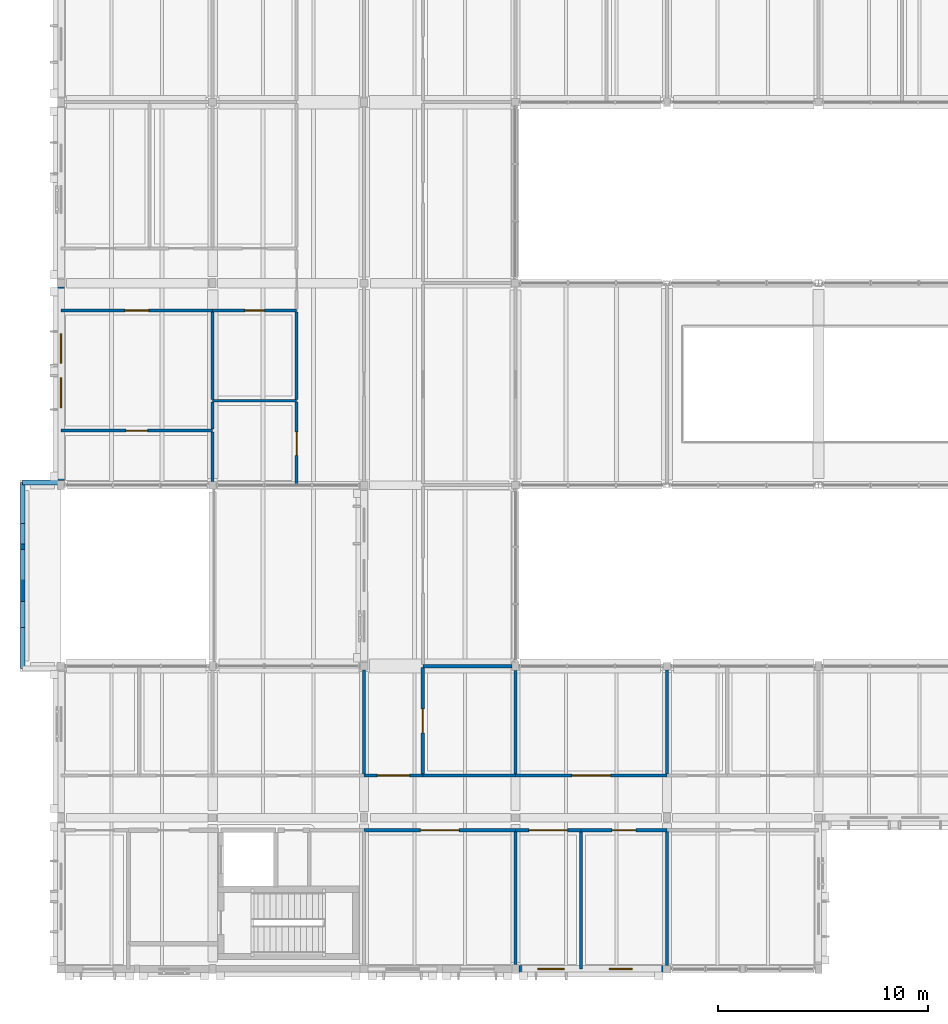
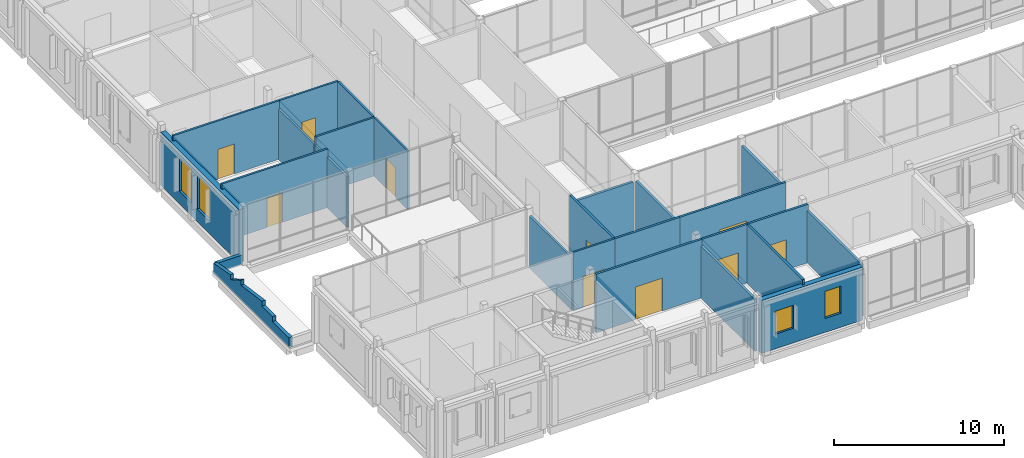
# One storey, part 105 of 146: 27 walls, 10 doors, 4 windows, 14 openings.
"""IFC4 building model written with IfcOpenShell, lengths in metres."""

from ifc_helpers import new_model, si_unit, direction, frame, frame_2d, origin, place, context, subcontext, project, spatial, polyline, rectangle, outline, extrude, material, layer, layer_set, type_object, element, fill, save


model = new_model("IFC4")

# Units and contexts
model_context = context("Model", 3, precision=1e-05, world=origin(), true_north=direction((0.0, 1.0)))
body_context = subcontext(model_context, "Body", "Model", "MODEL_VIEW")
ifc_project = project(units=[si_unit("LENGTHUNIT", "METRE"), si_unit("AREAUNIT", "SQUARE_METRE"), si_unit("VOLUMEUNIT", "CUBIC_METRE"), si_unit("PLANEANGLEUNIT", "RADIAN"), si_unit("MASSUNIT", "GRAM", prefix="KILO")], contexts=[model_context])

# Site, building, storey
site_placement = place(None, origin())
site = spatial("IfcSite", under=ifc_project, at=site_placement, CompositionType="ELEMENT")
building_placement = place(site_placement, origin())
building = spatial("IfcBuilding", under=site, at=building_placement, Name="Hawrajan Terrace Health Centre", CompositionType="ELEMENT")
storey_placement = place(building_placement, frame((0.0, 0.0, 4.5)))
storey = spatial("IfcBuildingStorey", under=building, at=storey_placement, Name="L01", CompositionType="ELEMENT", Elevation=4.5)

# Wall, opening, door
ifc_material_1 = material(Name="Gypsum board on acoustic stud framing")
ifc_layer_1 = layer(ifc_material_1, 0.139892578125)
ifc_layer_set_1 = layer_set([ifc_layer_1], Name="Gypsum board on acoustic stud framing")
wall_type_1 = type_object("IfcWallType", Name="ClinicalAcousticWall_140", PredefinedType="PARTITIONING", material=ifc_layer_set_1)
wall_1_placement = place(storey_placement, frame((4.60009765625, 29.7900390625, 0.0), z_axis=(0.0, 0.0, 1.0), x_axis=(1.0, 0.0, 0.0)))
wall_1 = element("IfcWall", 1, at=wall_1_placement, inside=storey, type_object=wall_type_1, Name="Interior wall IW-L01-0508", PredefinedType="PARTITIONING", context=body_context, shape_type="SweptSolid", body=[
    extrude(rectangle(XDim=7.199951171875, YDim=0.139892578125, at=frame_2d((3.60009765625, 0.0))), origin(), (0.0, 0.0, 1.0), 4.179931640625),
])
opening_1_placement = place(wall_1_placement, frame((3.080078125, 0.0, 0.0)))
opening_1 = element("IfcOpeningElement", 2, at=opening_1_placement, cuts=wall_1, Name="Opening D-L01-430", PredefinedType="OPENING", context=body_context, shape_type="SweptSolid", body=[
    extrude(rectangle(XDim=1.0400390625, YDim=2.10009765625, at=frame_2d((0.52001953125, 1.050048828125))), frame((0.0, 0.079833984375, 0.0), z_axis=(0.0, -1.0, 0.0), x_axis=(1.0, 0.0, 0.0)), (0.0, 0.0, 1.0), 0.159912109375),
])
ifc_material_2 = material(Name="Hardwood acoustic clinical door leaf and frame", Category="wood")
door_type_1 = type_object("IfcDoorType", Name="ConsultDoor_1040x2100", OperationType="NOTDEFINED", PredefinedType="DOOR", material=ifc_material_2)
door_1_placement = place(opening_1_placement, origin())
door_1 = element("IfcDoor", 3, at=door_1_placement, inside=storey, type_object=door_type_1, Name="Interior door D-L01-430", OperationType="SINGLE_SWING_RIGHT", OverallHeight=2.10009765625, OverallWidth=1.0400390625, PredefinedType="DOOR", context=body_context, shape_type="SweptSolid", body=[
    extrude(rectangle(XDim=1.0400390625, YDim=2.10009765625, at=frame_2d((0.52001953125, 1.050048828125))), frame((0.0, 0.02490234375, 0.0), z_axis=(0.0, -1.0, 0.0), x_axis=(1.0, 0.0, 0.0)), (0.0, 0.0, 1.0), 0.050048828125),
])
fill(opening_1, door_1)

wall_2_placement = place(storey_placement, frame((4.60009765625, 35.5, 0.0), z_axis=(0.0, 0.0, 1.0), x_axis=(1.0, 0.0, 0.0)))
wall_2 = element("IfcWall", 4, at=wall_2_placement, inside=storey, type_object=wall_type_1, Name="Interior wall IW-L01-0509", PredefinedType="PARTITIONING", context=body_context, shape_type="SweptSolid", body=[
    extrude(rectangle(XDim=7.199951171875, YDim=0.139892578125, at=frame_2d((3.60009765625, 0.0))), origin(), (0.0, 0.0, 1.0), 4.179931640625),
])
opening_2_placement = place(wall_2_placement, frame((3.0400390625, 0.0, 0.0)))
opening_2 = element("IfcOpeningElement", 5, at=opening_2_placement, cuts=wall_2, Name="Opening D-L01-311", PredefinedType="OPENING", context=body_context, shape_type="SweptSolid", body=[
    extrude(rectangle(XDim=1.1201171875, YDim=2.14990234375, at=frame_2d((0.56005859375, 1.074951171875))), frame((0.0, 0.079833984375, 0.0), z_axis=(0.0, -1.0, 0.0), x_axis=(1.0, 0.0, 0.0)), (0.0, 0.0, 1.0), 0.159912109375),
])
door_type_2 = type_object("IfcDoorType", Name="DentalSurgeryDoor_1120x2150", OperationType="NOTDEFINED", PredefinedType="DOOR", material=ifc_material_2)
door_2_placement = place(opening_2_placement, origin())
door_2 = element("IfcDoor", 6, at=door_2_placement, inside=storey, type_object=door_type_2, Name="Interior door D-L01-311", OperationType="SINGLE_SWING_LEFT", OverallHeight=2.14990234375, OverallWidth=1.1201171875, PredefinedType="DOOR", context=body_context, shape_type="SweptSolid", body=[
    extrude(rectangle(XDim=1.1201171875, YDim=2.14990234375, at=frame_2d((0.56005859375, 1.074951171875))), frame((0.0, 0.02490234375, 0.0), z_axis=(0.0, -1.0, 0.0), x_axis=(1.0, 0.0, 0.0)), (0.0, 0.0, 1.0), 0.050048828125),
])
fill(opening_2, door_2)

# Walls
wall_3_placement = place(storey_placement, frame((11.800048828125, 27.3798828125, 0.0), z_axis=(0.0, 0.0, 1.0), x_axis=(0.0, 1.0, 0.0)))
element("IfcWall", 7, at=wall_3_placement, inside=storey, type_object=wall_type_1, Name="Interior wall IW-L01-0525", PredefinedType="PARTITIONING", context=body_context, shape_type="SweptSolid", body=[
    extrude(rectangle(XDim=2.340087890625, YDim=0.139892578125, at=frame_2d((1.169921875, 0.0))), origin(), (0.0, 0.0, 1.0), 3.6201171875),
])
wall_4_placement = place(storey_placement, frame((11.800048828125, 29.860107421875, 0.0), z_axis=(0.0, 0.0, 1.0), x_axis=(0.0, 1.0, 0.0)))
element("IfcWall", 8, at=wall_4_placement, inside=storey, type_object=wall_type_1, Name="Interior wall IW-L01-0526", PredefinedType="PARTITIONING", context=body_context, shape_type="SweptSolid", body=[
    extrude(rectangle(XDim=1.27880859375, YDim=0.139892578125, at=frame_2d((0.639404296875, 0.0))), origin(), (0.0, 0.0, 1.0), 3.6201171875),
])
wall_5_placement = place(storey_placement, frame((11.800048828125, 31.279052734375, 0.0), z_axis=(0.0, 0.0, 1.0), x_axis=(0.0, 1.0, 0.0)))
element("IfcWall", 9, at=wall_5_placement, inside=storey, type_object=wall_type_1, Name="Interior wall IW-L01-0527", PredefinedType="PARTITIONING", context=body_context, shape_type="SweptSolid", body=[
    extrude(rectangle(XDim=4.15087890625, YDim=0.139892578125, at=frame_2d((2.075439453125, 0.0))), origin(), (0.0, 0.0, 1.0), 3.6201171875),
])
wall_6_placement = place(storey_placement, frame((11.800048828125, 31.208984375, 0.0), z_axis=(0.0, 0.0, 1.0), x_axis=(1.0, 0.0, 0.0)))
element("IfcWall", 10, at=wall_6_placement, inside=storey, type_object=wall_type_1, Name="Interior wall IW-L01-0528", PredefinedType="PARTITIONING", context=body_context, shape_type="SweptSolid", body=[
    extrude(rectangle(XDim=4.0, YDim=0.139892578125, at=frame_2d((2.0, 0.0))), origin(), (0.0, 0.0, 1.0), 4.179931640625),
])

# Wall, opening, door
wall_7_placement = place(storey_placement, frame((11.800048828125, 35.5, 0.0), z_axis=(0.0, 0.0, 1.0), x_axis=(1.0, 0.0, 0.0)))
wall_7 = element("IfcWall", 11, at=wall_7_placement, inside=storey, type_object=wall_type_1, Name="Interior wall IW-L01-0529", PredefinedType="PARTITIONING", context=body_context, shape_type="SweptSolid", body=[
    extrude(rectangle(XDim=4.0, YDim=0.139892578125, at=frame_2d((2.0, 0.0))), origin(), (0.0, 0.0, 1.0), 4.179931640625),
])
opening_3_placement = place(wall_7_placement, frame((1.5400390625, 0.0, 0.0)))
opening_3 = element("IfcOpeningElement", 12, at=opening_3_placement, cuts=wall_7, Name="Opening D-L01-317", PredefinedType="OPENING", context=body_context, shape_type="SweptSolid", body=[
    extrude(rectangle(XDim=0.919921875, YDim=2.10009765625, at=frame_2d((0.4599609375, 1.050048828125))), frame((0.0, 0.079833984375, 0.0), z_axis=(0.0, -1.0, 0.0), x_axis=(1.0, 0.0, 0.0)), (0.0, 0.0, 1.0), 0.159912109375),
])
door_type_3 = type_object("IfcDoorType", Name="StaffOfficeDoor_920x2100", OperationType="NOTDEFINED", PredefinedType="DOOR", material=ifc_material_2)
door_3_placement = place(opening_3_placement, origin())
door_3 = element("IfcDoor", 13, at=door_3_placement, inside=storey, type_object=door_type_3, Name="Interior door D-L01-317", OperationType="SINGLE_SWING_LEFT", OverallHeight=2.10009765625, OverallWidth=0.919921875, PredefinedType="DOOR", context=body_context, shape_type="SweptSolid", body=[
    extrude(rectangle(XDim=0.919921875, YDim=2.10009765625, at=frame_2d((0.4599609375, 1.050048828125))), frame((0.0, 0.02490234375, 0.0), z_axis=(0.0, -1.0, 0.0), x_axis=(1.0, 0.0, 0.0)), (0.0, 0.0, 1.0), 0.050048828125),
])
fill(opening_3, door_3)

wall_8_placement = place(storey_placement, frame((15.800048828125, 27.199951171875, 0.0), z_axis=(0.0, 0.0, 1.0), x_axis=(0.0, 1.0, 0.0)))
wall_8 = element("IfcWall", 14, at=wall_8_placement, inside=storey, type_object=wall_type_1, Name="Interior wall IW-L01-0537", PredefinedType="PARTITIONING", context=body_context, shape_type="SweptSolid", body=[
    extrude(rectangle(XDim=3.93896484375, YDim=0.139892578125, at=frame_2d((1.969482421875, 0.0))), origin(), (0.0, 0.0, 1.0), 4.179931640625),
])
opening_4_placement = place(wall_8_placement, frame((1.409423828125, 0.0, 0.0)))
opening_4 = element("IfcOpeningElement", 15, at=opening_4_placement, cuts=wall_8, Name="Opening D-L01-316", PredefinedType="OPENING", context=body_context, shape_type="SweptSolid", body=[
    extrude(rectangle(XDim=1.1201171875, YDim=2.14990234375, at=frame_2d((0.56005859375, 1.074951171875))), frame((0.0, 0.079833984375, 0.0), z_axis=(0.0, -1.0, 0.0), x_axis=(1.0, 0.0, 0.0)), (0.0, 0.0, 1.0), 0.159912109375),
])
door_4_placement = place(opening_4_placement, origin())
door_4 = element("IfcDoor", 16, at=door_4_placement, inside=storey, type_object=door_type_2, Name="Interior door D-L01-316", OperationType="SINGLE_SWING_RIGHT", OverallHeight=2.14990234375, OverallWidth=1.1201171875, PredefinedType="DOOR", context=body_context, shape_type="SweptSolid", body=[
    extrude(rectangle(XDim=1.1201171875, YDim=2.14990234375, at=frame_2d((0.56005859375, 1.074951171875))), frame((0.0, 0.02490234375, 0.0), z_axis=(0.0, -1.0, 0.0), x_axis=(1.0, 0.0, 0.0)), (0.0, 0.0, 1.0), 0.050048828125),
])
fill(opening_4, door_4)

# Walls
wall_9_placement = place(storey_placement, frame((15.800048828125, 31.279052734375, 0.0), z_axis=(0.0, 0.0, 1.0), x_axis=(0.0, 1.0, 0.0)))
element("IfcWall", 17, at=wall_9_placement, inside=storey, type_object=wall_type_1, Name="Interior wall IW-L01-0538", PredefinedType="PARTITIONING", context=body_context, shape_type="SweptSolid", body=[
    extrude(rectangle(XDim=4.15087890625, YDim=0.139892578125, at=frame_2d((2.075439453125, 0.0))), origin(), (0.0, 0.0, 1.0), 4.179931640625),
])
wall_10_placement = place(storey_placement, frame((19.0, 13.469970703125, 0.0), z_axis=(0.0, 0.0, 1.0), x_axis=(0.0, 1.0, 0.0)))
element("IfcWall", 18, at=wall_10_placement, inside=storey, type_object=wall_type_1, Name="Interior wall IW-L01-0544", PredefinedType="PARTITIONING", context=body_context, shape_type="SweptSolid", body=[
    extrude(rectangle(XDim=4.949951171875, YDim=0.139892578125, at=frame_2d((2.47509765625, 0.0))), origin(), (0.0, 0.0, 1.0), 3.739990234375),
])

# Wall, opening, door
wall_11_placement = place(storey_placement, frame((19.0, 13.39990234375, 0.0), z_axis=(0.0, 0.0, 1.0), x_axis=(1.0, 0.0, 0.0)))
wall_11 = element("IfcWall", 19, at=wall_11_placement, inside=storey, type_object=wall_type_1, Name="Interior wall IW-L01-0545", PredefinedType="PARTITIONING", context=body_context, shape_type="SweptSolid", body=[
    extrude(rectangle(XDim=2.800048828125, YDim=0.139892578125, at=frame_2d((1.39990234375, 0.0))), origin(), (0.0, 0.0, 1.0), 4.179931640625),
])
opening_5_placement = place(wall_11_placement, frame((0.6298828125, 0.0, 0.0)))
opening_5 = element("IfcOpeningElement", 20, at=opening_5_placement, cuts=wall_11, Name="Opening D-L01-262", PredefinedType="OPENING", context=body_context, shape_type="SweptSolid", body=[
    extrude(rectangle(XDim=1.5400390625, YDim=2.25, at=frame_2d((0.77001953125, 1.125))), frame((0.0, 0.079833984375, 0.0), z_axis=(0.0, -1.0, 0.0), x_axis=(1.0, 0.0, 0.0)), (0.0, 0.0, 1.0), 0.159912109375),
])
door_type_4 = type_object("IfcDoorType", Name="RecoveryBayDoor_1540x2250", OperationType="DOUBLE_DOOR_SINGLE_SWING", PredefinedType="DOOR", material=ifc_material_2)
door_5_placement = place(opening_5_placement, origin())
door_5 = element("IfcDoor", 21, at=door_5_placement, inside=storey, type_object=door_type_4, Name="Interior door D-L01-262", OperationType="DOUBLE_DOOR_SINGLE_SWING", OverallHeight=2.25, OverallWidth=1.5400390625, PredefinedType="DOOR", context=body_context, shape_type="SweptSolid", body=[
    extrude(rectangle(XDim=1.5400390625, YDim=2.25, at=frame_2d((0.77001953125, 1.125))), frame((0.0, 0.02490234375, 0.0), z_axis=(0.0, -1.0, 0.0), x_axis=(1.0, 0.0, 0.0)), (0.0, 0.0, 1.0), 0.050048828125),
])
fill(opening_5, door_5)

# Wall, openings, windows
ifc_material_3 = material(Name="Precast concrete C40/50", Category="concrete")
ifc_layer_2 = layer(ifc_material_3, 0.340087890625)
ifc_layer_set_2 = layer_set([ifc_layer_2], Name="Precast concrete C40/50")
wall_type_2 = type_object("IfcWallType", Name="CoralAshlarWall_340", PredefinedType="SOLIDWALL", material=ifc_layer_set_2)
wall_12_placement = place(storey_placement, frame((4.60009765625, 27.409912109375, 0.0), z_axis=(0.0, 0.0, 1.0), x_axis=(0.0, 1.0, 0.0)))
wall_12 = element("IfcWall", 22, at=wall_12_placement, inside=storey, type_object=wall_type_2, Name="Exterior wall EW-L01-V00-03-1", PredefinedType="SOLIDWALL", context=body_context, shape_type="SweptSolid", body=[
    extrude(rectangle(XDim=9.210205078125, YDim=0.340087890625, at=frame_2d((4.60498046875, 0.0))), origin(), (0.0, 0.0, 1.0), 3.800048828125),
])
opening_6_placement = place(wall_12_placement, frame((3.474853515625, 0.0, 0.89990234375)))
opening_6 = element("IfcOpeningElement", 23, at=opening_6_placement, cuts=wall_12, Name="Opening W-L01-049", PredefinedType="OPENING", context=body_context, shape_type="SweptSolid", body=[
    extrude(rectangle(XDim=1.419921875, YDim=2.39990234375, at=frame_2d((0.7099609375, 1.199951171875))), frame((0.0, 0.179931640625, 0.0), z_axis=(0.0, -1.0, 0.0), x_axis=(1.0, 0.0, 0.0)), (0.0, 0.0, 1.0), 0.360107421875),
])
opening_7_placement = place(wall_12_placement, frame((5.57470703125, 0.0, 0.89990234375)))
opening_7 = element("IfcOpeningElement", 24, at=opening_7_placement, cuts=wall_12, Name="Opening W-L01-050", PredefinedType="OPENING", context=body_context, shape_type="SweptSolid", body=[
    extrude(rectangle(XDim=1.419921875, YDim=2.39990234375, at=frame_2d((0.7099609375, 1.199951171875))), frame((0.0, 0.179931640625, 0.0), z_axis=(0.0, -1.0, 0.0), x_axis=(1.0, 0.0, 0.0)), (0.0, 0.0, 1.0), 0.360107421875),
])
ifc_material_4 = material(Name="Anodized bronze frame with double low-E glazing", Category="glass")
window_type_1 = type_object("IfcWindowType", Name="FacadeWindow_1420x2400", PartitioningType="SINGLE_PANEL", PredefinedType="WINDOW", material=ifc_material_4)
window_1_placement = place(opening_6_placement, origin())
window_1 = element("IfcWindow", 25, at=window_1_placement, inside=storey, type_object=window_type_1, Name="Window W-L01-049", OverallHeight=2.39990234375, OverallWidth=1.419921875, PartitioningType="SINGLE_PANEL", PredefinedType="WINDOW", context=body_context, shape_type="SweptSolid", body=[
    extrude(rectangle(XDim=1.419921875, YDim=2.39990234375, at=frame_2d((0.7099609375, 1.199951171875))), frame((0.0, 0.030029296875, 0.0), z_axis=(0.0, -1.0, 0.0), x_axis=(1.0, 0.0, 0.0)), (0.0, 0.0, 1.0), 0.06005859375),
])
fill(opening_6, window_1)
window_2_placement = place(opening_7_placement, origin())
window_2 = element("IfcWindow", 26, at=window_2_placement, inside=storey, type_object=window_type_1, Name="Window W-L01-050", OverallHeight=2.39990234375, OverallWidth=1.419921875, PartitioningType="SINGLE_PANEL", PredefinedType="WINDOW", context=body_context, shape_type="SweptSolid", body=[
    extrude(rectangle(XDim=1.419921875, YDim=2.39990234375, at=frame_2d((0.7099609375, 1.199951171875))), frame((0.0, 0.030029296875, 0.0), z_axis=(0.0, -1.0, 0.0), x_axis=(1.0, 0.0, 0.0)), (0.0, 0.0, 1.0), 0.06005859375),
])
fill(opening_7, window_2)

wall_13_placement = place(storey_placement, frame((26.360107421875, 4.199951171875, 0.0), z_axis=(0.0, 0.0, 1.0), x_axis=(1.0, 0.0, 0.0)))
wall_13 = element("IfcWall", 27, at=wall_13_placement, inside=storey, type_object=wall_type_2, Name="Exterior wall EW-L01-H03-00-1", PredefinedType="SOLIDWALL", context=body_context, shape_type="SweptSolid", body=[
    extrude(rectangle(XDim=6.85986328125, YDim=0.340087890625, at=frame_2d((3.429931640625, 0.0))), origin(), (0.0, 0.0, 1.0), 3.800048828125),
])
opening_8_placement = place(wall_13_placement, frame((0.9052734375, 0.0, 1.050048828125)))
opening_8 = element("IfcOpeningElement", 28, at=opening_8_placement, cuts=wall_13, Name="Opening W-L01-064", PredefinedType="OPENING", context=body_context, shape_type="SweptSolid", body=[
    extrude(rectangle(XDim=1.260009765625, YDim=1.64990234375, at=frame_2d((0.6298828125, 0.824951171875))), frame((0.0, 0.179931640625, 0.0), z_axis=(0.0, -1.0, 0.0), x_axis=(1.0, 0.0, 0.0)), (0.0, 0.0, 1.0), 0.360107421875),
])
opening_9_placement = place(wall_13_placement, frame((4.30517578125, 0.0, 1.0)))
opening_9 = element("IfcOpeningElement", 29, at=opening_9_placement, cuts=wall_13, Name="Opening W-L01-065", PredefinedType="OPENING", context=body_context, shape_type="SweptSolid", body=[
    extrude(rectangle(XDim=1.080078125, YDim=1.949951171875, at=frame_2d((0.5400390625, 0.97509765625))), frame((0.0, 0.179931640625, 0.0), z_axis=(0.0, -1.0, 0.0), x_axis=(1.0, 0.0, 0.0)), (0.0, 0.0, 1.0), 0.360107421875),
])
window_type_2 = type_object("IfcWindowType", Name="FacadeWindow_1080x1950", PartitioningType="SINGLE_PANEL", PredefinedType="WINDOW", material=ifc_material_4)
window_3_placement = place(opening_9_placement, origin())
window_3 = element("IfcWindow", 30, at=window_3_placement, inside=storey, type_object=window_type_2, Name="Window W-L01-065", OverallHeight=1.949951171875, OverallWidth=1.080078125, PartitioningType="SINGLE_PANEL", PredefinedType="WINDOW", context=body_context, shape_type="SweptSolid", body=[
    extrude(rectangle(XDim=1.080078125, YDim=1.949951171875, at=frame_2d((0.5400390625, 0.97509765625))), frame((0.0, 0.030029296875, 0.0), z_axis=(0.0, -1.0, 0.0), x_axis=(1.0, 0.0, 0.0)), (0.0, 0.0, 1.0), 0.06005859375),
])
fill(opening_9, window_3)
window_type_3 = type_object("IfcWindowType", Name="FacadeWindow_1260x1650", PartitioningType="SINGLE_PANEL", PredefinedType="WINDOW", material=ifc_material_4)
window_4_placement = place(opening_8_placement, origin())
window_4 = element("IfcWindow", 31, at=window_4_placement, inside=storey, type_object=window_type_3, Name="Window W-L01-064", OverallHeight=1.64990234375, OverallWidth=1.260009765625, PartitioningType="SINGLE_PANEL", PredefinedType="WINDOW", context=body_context, shape_type="SweptSolid", body=[
    extrude(rectangle(XDim=1.260009765625, YDim=1.64990234375, at=frame_2d((0.6298828125, 0.824951171875))), frame((0.0, 0.030029296875, 0.0), z_axis=(0.0, -1.0, 0.0), x_axis=(1.0, 0.0, 0.0)), (0.0, 0.0, 1.0), 0.06005859375),
])
fill(opening_8, window_4)

# Wall, opening, door
ifc_layer_3 = layer(ifc_material_1, 0.159912109375)
ifc_layer_set_3 = layer_set([ifc_layer_3], Name="Gypsum board on acoustic stud framing")
wall_type_3 = type_object("IfcWallType", Name="CorridorFireWall_160", PredefinedType="PARTITIONING", material=ifc_layer_set_3)
wall_14_placement = place(storey_placement, frame((19.0, 10.800048828125, 0.0), z_axis=(0.0, 0.0, 1.0), x_axis=(1.0, 0.0, 0.0)))
wall_14 = element("IfcWall", 32, at=wall_14_placement, inside=storey, type_object=wall_type_3, Name="Interior wall IW-L01-0543", PredefinedType="PARTITIONING", context=body_context, shape_type="SweptSolid", body=[
    extrude(rectangle(XDim=7.199951171875, YDim=0.159912109375, at=frame_2d((3.60009765625, 0.0))), origin(), (0.0, 0.0, 1.0), 4.179931640625),
])
opening_10_placement = place(wall_14_placement, frame((2.679931640625, 0.0, 0.0)))
opening_10 = element("IfcOpeningElement", 33, at=opening_10_placement, cuts=wall_14, Name="Opening D-L01-366", PredefinedType="OPENING", context=body_context, shape_type="SweptSolid", body=[
    extrude(rectangle(XDim=1.840087890625, YDim=2.35009765625, at=frame_2d((0.919921875, 1.175048828125))), frame((0.0, 0.08984375, 0.0), z_axis=(0.0, -1.0, 0.0), x_axis=(1.0, 0.0, 0.0)), (0.0, 0.0, 1.0), 0.179931640625),
])
ifc_material_5 = material(Name="Timber-veneered acoustic fire-resisting door assembly", Category="wood")
door_type_5 = type_object("IfcDoorType", Name="SurgicalTheatreDoor_1840x2350", OperationType="DOUBLE_DOOR_SINGLE_SWING", PredefinedType="DOOR", material=ifc_material_5)
door_6_placement = place(opening_10_placement, origin())
door_6 = element("IfcDoor", 34, at=door_6_placement, inside=storey, type_object=door_type_5, Name="Interior door D-L01-366", OperationType="DOUBLE_DOOR_SINGLE_SWING", OverallHeight=2.35009765625, OverallWidth=1.840087890625, PredefinedType="DOOR", context=body_context, shape_type="SweptSolid", body=[
    extrude(rectangle(XDim=1.840087890625, YDim=2.35009765625, at=frame_2d((0.919921875, 1.175048828125))), frame((0.0, 0.02490234375, 0.0), z_axis=(0.0, -1.0, 0.0), x_axis=(1.0, 0.0, 0.0)), (0.0, 0.0, 1.0), 0.050048828125),
])
fill(opening_10, door_6)

wall_15_placement = place(storey_placement, frame((21.800048828125, 13.469970703125, 0.0), z_axis=(0.0, 0.0, 1.0), x_axis=(0.0, 1.0, 0.0)))
wall_15 = element("IfcWall", 35, at=wall_15_placement, inside=storey, type_object=wall_type_3, Name="Interior wall IW-L01-0551", PredefinedType="PARTITIONING", context=body_context, shape_type="SweptSolid", body=[
    extrude(rectangle(XDim=5.06005859375, YDim=0.159912109375, at=frame_2d((2.530029296875, 0.0))), origin(), (0.0, 0.0, 1.0), 4.179931640625),
])
opening_11_placement = place(wall_15_placement, frame((1.9599609375, 0.0, 0.0)))
opening_11 = element("IfcOpeningElement", 36, at=opening_11_placement, cuts=wall_15, Name="Opening D-L01-367", PredefinedType="OPENING", context=body_context, shape_type="SweptSolid", body=[
    extrude(rectangle(XDim=1.139892578125, YDim=2.14990234375, at=frame_2d((0.56982421875, 1.074951171875))), frame((0.0, 0.08984375, 0.0), z_axis=(0.0, -1.0, 0.0), x_axis=(1.0, 0.0, 0.0)), (0.0, 0.0, 1.0), 0.179931640625),
])
door_type_6 = type_object("IfcDoorType", Name="ClinicalFireDoor_1140x2150", OperationType="NOTDEFINED", PredefinedType="DOOR", material=ifc_material_5)
door_7_placement = place(opening_11_placement, origin())
door_7 = element("IfcDoor", 37, at=door_7_placement, inside=storey, type_object=door_type_6, Name="Interior door D-L01-367", OperationType="SINGLE_SWING_LEFT", OverallHeight=2.14990234375, OverallWidth=1.139892578125, PredefinedType="DOOR", context=body_context, shape_type="SweptSolid", body=[
    extrude(rectangle(XDim=1.139892578125, YDim=2.14990234375, at=frame_2d((0.56982421875, 1.074951171875))), frame((0.0, 0.02490234375, 0.0), z_axis=(0.0, -1.0, 0.0), x_axis=(1.0, 0.0, 0.0)), (0.0, 0.0, 1.0), 0.050048828125),
])
fill(opening_11, door_7)

# Walls
wall_16_placement = place(storey_placement, frame((21.800048828125, 13.39990234375, 0.0), z_axis=(0.0, 0.0, 1.0), x_axis=(1.0, 0.0, 0.0)))
element("IfcWall", 38, at=wall_16_placement, inside=storey, type_object=wall_type_3, Name="Interior wall IW-L01-0552", PredefinedType="PARTITIONING", context=body_context, shape_type="SweptSolid", body=[
    extrude(rectangle(XDim=4.39990234375, YDim=0.159912109375, at=frame_2d((2.199951171875, 0.0))), origin(), (0.0, 0.0, 1.0), 4.179931640625),
])
wall_17_placement = place(storey_placement, frame((21.800048828125, 18.60009765625, 0.0), z_axis=(0.0, 0.0, 1.0), x_axis=(1.0, 0.0, 0.0)))
element("IfcWall", 39, at=wall_17_placement, inside=storey, type_object=wall_type_3, Name="Interior wall IW-L01-0554", PredefinedType="PARTITIONING", context=body_context, shape_type="SweptSolid", body=[
    extrude(rectangle(XDim=4.239990234375, YDim=0.159912109375, at=frame_2d((2.1201171875, 0.0))), origin(), (0.0, 0.0, 1.0), 3.6201171875),
])
wall_18_placement = place(storey_placement, frame((26.199951171875, 4.409912109375, 0.0), z_axis=(0.0, 0.0, 1.0), x_axis=(0.0, 1.0, 0.0)))
element("IfcWall", 40, at=wall_18_placement, inside=storey, type_object=wall_type_3, Name="Interior wall IW-L01-0563", PredefinedType="PARTITIONING", context=body_context, shape_type="SweptSolid", body=[
    extrude(rectangle(XDim=6.320068359375, YDim=0.159912109375, at=frame_2d((3.16015625, 0.0))), origin(), (0.0, 0.0, 1.0), 3.739990234375),
])

# Wall, opening, door
wall_19_placement = place(storey_placement, frame((26.199951171875, 10.800048828125, 0.0), z_axis=(0.0, 0.0, 1.0), x_axis=(1.0, 0.0, 0.0)))
wall_19 = element("IfcWall", 41, at=wall_19_placement, inside=storey, type_object=wall_type_3, Name="Interior wall IW-L01-0564", PredefinedType="PARTITIONING", context=body_context, shape_type="SweptSolid", body=[
    extrude(rectangle(XDim=3.110107421875, YDim=0.159912109375, at=frame_2d((1.55517578125, 0.0))), origin(), (0.0, 0.0, 1.0), 4.179931640625),
])
opening_12_placement = place(wall_19_placement, frame((0.635009765625, 0.0, 0.0)))
opening_12 = element("IfcOpeningElement", 42, at=opening_12_placement, cuts=wall_19, Name="Opening D-L01-368", PredefinedType="OPENING", context=body_context, shape_type="SweptSolid", body=[
    extrude(rectangle(XDim=1.840087890625, YDim=2.35009765625, at=frame_2d((0.919921875, 1.175048828125))), frame((0.0, 0.08984375, 0.0), z_axis=(0.0, -1.0, 0.0), x_axis=(1.0, 0.0, 0.0)), (0.0, 0.0, 1.0), 0.179931640625),
])
door_8_placement = place(opening_12_placement, origin())
door_8 = element("IfcDoor", 43, at=door_8_placement, inside=storey, type_object=door_type_5, Name="Interior door D-L01-368", OperationType="DOUBLE_DOOR_SINGLE_SWING", OverallHeight=2.35009765625, OverallWidth=1.840087890625, PredefinedType="DOOR", context=body_context, shape_type="SweptSolid", body=[
    extrude(rectangle(XDim=1.840087890625, YDim=2.35009765625, at=frame_2d((0.919921875, 1.175048828125))), frame((0.0, 0.02490234375, 0.0), z_axis=(0.0, -1.0, 0.0), x_axis=(1.0, 0.0, 0.0)), (0.0, 0.0, 1.0), 0.050048828125),
])
fill(opening_12, door_8)

# Wall
wall_20_placement = place(storey_placement, frame((26.199951171875, 13.469970703125, 0.0), z_axis=(0.0, 0.0, 1.0), x_axis=(0.0, 1.0, 0.0)))
element("IfcWall", 44, at=wall_20_placement, inside=storey, type_object=wall_type_3, Name="Interior wall IW-L01-0565", PredefinedType="PARTITIONING", context=body_context, shape_type="SweptSolid", body=[
    extrude(rectangle(XDim=4.919921875, YDim=0.159912109375, at=frame_2d((2.4599609375, 0.0))), origin(), (0.0, 0.0, 1.0), 3.739990234375),
])

# Wall, opening, door
wall_21_placement = place(storey_placement, frame((26.199951171875, 13.39990234375, 0.0), z_axis=(0.0, 0.0, 1.0), x_axis=(1.0, 0.0, 0.0)))
wall_21 = element("IfcWall", 45, at=wall_21_placement, inside=storey, type_object=wall_type_3, Name="Interior wall IW-L01-0566", PredefinedType="PARTITIONING", context=body_context, shape_type="SweptSolid", body=[
    extrude(rectangle(XDim=7.199951171875, YDim=0.159912109375, at=frame_2d((3.60009765625, 0.0))), origin(), (0.0, 0.0, 1.0), 4.179931640625),
])
opening_13_placement = place(wall_21_placement, frame((2.679931640625, 0.0, 0.0)))
opening_13 = element("IfcOpeningElement", 46, at=opening_13_placement, cuts=wall_21, Name="Opening D-L01-370", PredefinedType="OPENING", context=body_context, shape_type="SweptSolid", body=[
    extrude(rectangle(XDim=1.840087890625, YDim=2.35009765625, at=frame_2d((0.919921875, 1.175048828125))), frame((0.0, 0.08984375, 0.0), z_axis=(0.0, -1.0, 0.0), x_axis=(1.0, 0.0, 0.0)), (0.0, 0.0, 1.0), 0.179931640625),
])
door_9_placement = place(opening_13_placement, origin())
door_9 = element("IfcDoor", 47, at=door_9_placement, inside=storey, type_object=door_type_5, Name="Interior door D-L01-370", OperationType="DOUBLE_DOOR_SINGLE_SWING", OverallHeight=2.35009765625, OverallWidth=1.840087890625, PredefinedType="DOOR", context=body_context, shape_type="SweptSolid", body=[
    extrude(rectangle(XDim=1.840087890625, YDim=2.35009765625, at=frame_2d((0.919921875, 1.175048828125))), frame((0.0, 0.02490234375, 0.0), z_axis=(0.0, -1.0, 0.0), x_axis=(1.0, 0.0, 0.0)), (0.0, 0.0, 1.0), 0.050048828125),
])
fill(opening_13, door_9)

# Wall
wall_22_placement = place(storey_placement, frame((29.31005859375, 4.199951171875, 0.0), z_axis=(0.0, 0.0, 1.0), x_axis=(0.0, 1.0, 0.0)))
element("IfcWall", 48, at=wall_22_placement, inside=storey, type_object=wall_type_3, Name="Interior wall IW-L01-0574", PredefinedType="PARTITIONING", context=body_context, shape_type="SweptSolid", body=[
    extrude(rectangle(XDim=6.530029296875, YDim=0.159912109375, at=frame_2d((3.26513671875, 0.0))), origin(), (0.0, 0.0, 1.0), 4.179931640625),
])

# Wall, opening, door
wall_23_placement = place(storey_placement, frame((29.31005859375, 10.800048828125, 0.0), z_axis=(0.0, 0.0, 1.0), x_axis=(1.0, 0.0, 0.0)))
wall_23 = element("IfcWall", 49, at=wall_23_placement, inside=storey, type_object=wall_type_3, Name="Interior wall IW-L01-0575", PredefinedType="PARTITIONING", context=body_context, shape_type="SweptSolid", body=[
    extrude(rectangle(XDim=4.08984375, YDim=0.159912109375, at=frame_2d((2.044921875, 0.0))), origin(), (0.0, 0.0, 1.0), 4.179931640625),
])
opening_14_placement = place(wall_23_placement, frame((1.47509765625, 0.0, 0.0)))
opening_14 = element("IfcOpeningElement", 50, at=opening_14_placement, cuts=wall_23, Name="Opening D-L01-369", PredefinedType="OPENING", context=body_context, shape_type="SweptSolid", body=[
    extrude(rectangle(XDim=1.139892578125, YDim=2.14990234375, at=frame_2d((0.56982421875, 1.074951171875))), frame((0.0, 0.08984375, 0.0), z_axis=(0.0, -1.0, 0.0), x_axis=(1.0, 0.0, 0.0)), (0.0, 0.0, 1.0), 0.179931640625),
])
door_10_placement = place(opening_14_placement, origin())
door_10 = element("IfcDoor", 51, at=door_10_placement, inside=storey, type_object=door_type_6, Name="Interior door D-L01-369", OperationType="SINGLE_SWING_LEFT", OverallHeight=2.14990234375, OverallWidth=1.139892578125, PredefinedType="DOOR", context=body_context, shape_type="SweptSolid", body=[
    extrude(rectangle(XDim=1.139892578125, YDim=2.14990234375, at=frame_2d((0.56982421875, 1.074951171875))), frame((0.0, 0.02490234375, 0.0), z_axis=(0.0, -1.0, 0.0), x_axis=(1.0, 0.0, 0.0)), (0.0, 0.0, 1.0), 0.050048828125),
])
fill(opening_14, door_10)

# Walls
wall_24_placement = place(storey_placement, frame((33.39990234375, 4.3798828125, 0.0), z_axis=(0.0, 0.0, 1.0), x_axis=(0.0, 1.0, 0.0)))
element("IfcWall", 52, at=wall_24_placement, inside=storey, type_object=wall_type_3, Name="Interior wall IW-L01-0578", PredefinedType="PARTITIONING", context=body_context, shape_type="SweptSolid", body=[
    extrude(rectangle(XDim=6.35009765625, YDim=0.159912109375, at=frame_2d((3.175048828125, 0.0))), origin(), (0.0, 0.0, 1.0), 3.739990234375),
])
wall_25_placement = place(storey_placement, frame((33.39990234375, 13.469970703125, 0.0), z_axis=(0.0, 0.0, 1.0), x_axis=(0.0, 1.0, 0.0)))
element("IfcWall", 53, at=wall_25_placement, inside=storey, type_object=wall_type_3, Name="Interior wall IW-L01-0580", PredefinedType="PARTITIONING", context=body_context, shape_type="SweptSolid", body=[
    extrude(rectangle(XDim=4.949951171875, YDim=0.159912109375, at=frame_2d((2.47509765625, 0.0))), origin(), (0.0, 0.0, 1.0), 3.739990234375),
])
ifc_layer_4 = layer(ifc_material_3, 0.22998046875)
ifc_layer_set_4 = layer_set([ifc_layer_4], Name="Precast concrete C40/50")
wall_type_4 = type_object("IfcWallType", Name="ZigguratParapet_230", PredefinedType="PARAPET", material=ifc_layer_set_4)
wall_26_placement = place(storey_placement, frame((2.780029296875, 18.47998046875, -0.050048828125), z_axis=(0.0, 0.0, 1.0), x_axis=(0.0, 1.0, 0.0)))
element("IfcWall", 54, at=wall_26_placement, inside=storey, type_object=wall_type_4, Name="Stepped Art Deco parapet PAR-PORT-W-FRONT", PredefinedType="PARAPET", context=body_context, shape_type="SweptSolid", body=[
    extrude(outline(polyline([(0.0, 0.0), (8.840087890625, 0.0), (8.840087890625, 0.699951171875), (6.895263671875, 1.050048828125), (6.895263671875, 0.699951171875), (5.65771484375, 1.400146484375), (5.65771484375, 1.050048828125), (3.182373046875, 1.400146484375), (3.182373046875, 1.050048828125), (1.94482421875, 1.050048828125), (1.94482421875, 0.699951171875), (0.0, 0.699951171875), (0.0, 0.0)])), frame((0.0, 0.114990234375, 0.0), z_axis=(0.0, -1.0, 0.0), x_axis=(1.0, 0.0, 0.0)), (0.0, 0.0, 1.0), 0.22998046875),
])
wall_27_placement = place(storey_placement, frame((2.780029296875, 27.320068359375, -0.050048828125), z_axis=(0.0, 0.0, 1.0), x_axis=(1.0, 0.0, 0.0)))
element("IfcWall", 55, at=wall_27_placement, inside=storey, type_object=wall_type_4, Name="Stepped Art Deco parapet PAR-PORT-W-N", PredefinedType="PARAPET", context=body_context, shape_type="SweptSolid", body=[
    extrude(rectangle(XDim=1.719970703125, YDim=0.22998046875, at=frame_2d((0.85986328125, 0.0))), origin(), (0.0, 0.0, 1.0), 0.699951171875),
])

save(model, "model.ifc")
